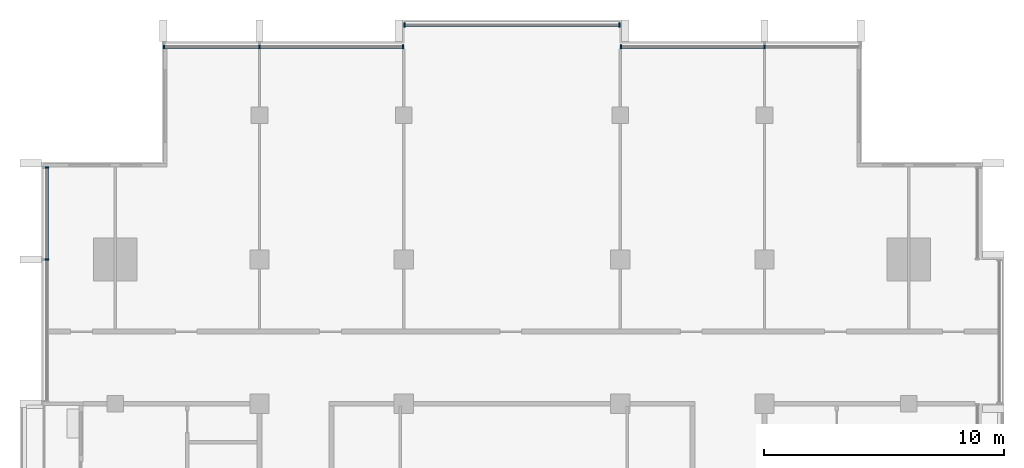
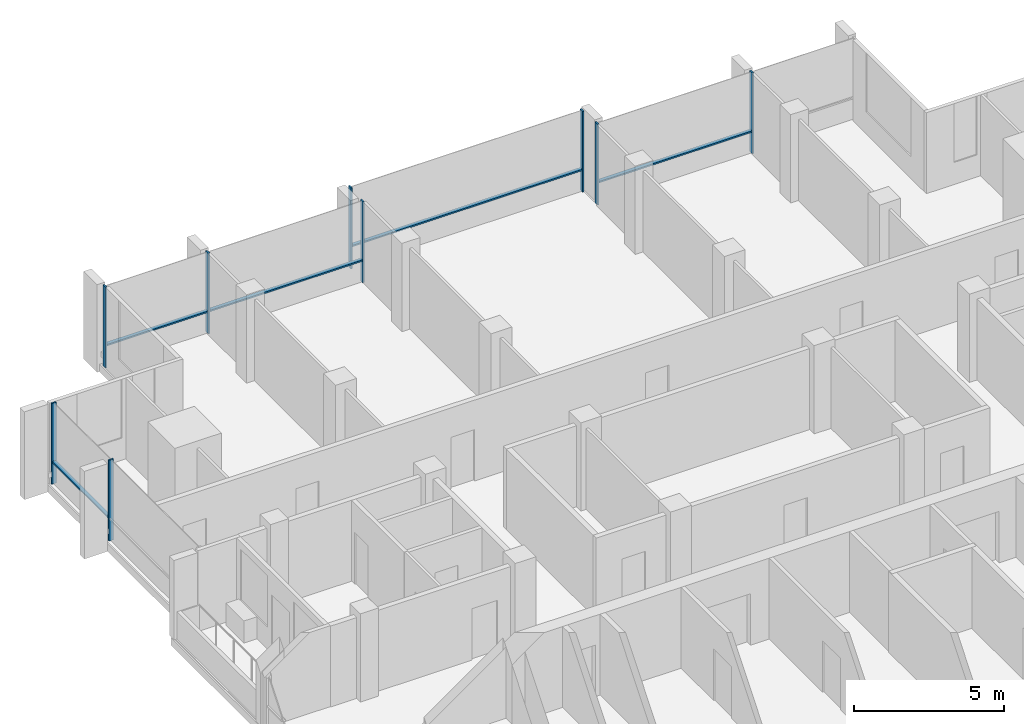
# One storey, part 4 of 15: 14 members, 4 elements without a shape of their own.
"""IFC4 building model written with IfcOpenShell, lengths in metres."""

from ifc_helpers import new_model, si_unit, direction, frame, origin, origin_2d, place, context, subcontext, project, spatial, rectangle, extrude, material, material_profile, profile_set, type_object, element, aggregate, save


model = new_model("IFC4")

# Units and contexts
model_context = context("Model", 3, precision=1e-05, world=origin(), true_north=direction((0.0, 1.0)))
body_context = subcontext(model_context, "Body", "Model", "MODEL_VIEW")
ifc_project = project(units=[si_unit("LENGTHUNIT", "METRE"), si_unit("AREAUNIT", "SQUARE_METRE"), si_unit("VOLUMEUNIT", "CUBIC_METRE"), si_unit("PLANEANGLEUNIT", "RADIAN"), si_unit("MASSUNIT", "GRAM", prefix="KILO")], contexts=[model_context])

# Site, building, storey
site_placement = place(None, origin())
site = spatial("IfcSite", under=ifc_project, at=site_placement, CompositionType="ELEMENT")
building_placement = place(site_placement, origin())
building = spatial("IfcBuilding", under=site, at=building_placement, Name="Finial Court Residences", CompositionType="ELEMENT")
storey_placement = place(building_placement, frame((0.0, 0.0, 266.300048828125)))
storey = spatial("IfcBuildingStorey", under=building, at=storey_placement, Name="L67", CompositionType="ELEMENT", Elevation=266.300048828125)

# Curtain wall, members
ifc_material = material(Name="Bronze anodised aluminium", Category="aluminium")
curtain_wall_type = type_object("IfcCurtainWallType", Name="Unitised curtain wall, upper zones", PredefinedType="NOTDEFINED", material=ifc_material)
curtain_wall_1_placement = place(storey_placement, origin())
curtain_wall_1 = element("IfcCurtainWall", 1, at=curtain_wall_1_placement, inside=storey, type_object=curtain_wall_type, Name="E-L67-CW-N1", PredefinedType="NOTDEFINED")
ifc_material_profile_1 = material_profile(ifc_material, rectangle(XDim=0.175048828125, YDim=0.06005859375, at=origin_2d()), Name="CW2 mullion 60 x 175")
ifc_profile_set_1 = profile_set([ifc_material_profile_1], Name="Bronze anodised aluminium")
member_type_1 = type_object("IfcMemberType", Name="CW2 mullion 60 x 175", PredefinedType="MULLION", material=ifc_profile_set_1)
member_1_placement = place(storey_placement, frame((-14.469970703125, 16.35009765625, 0.0), z_axis=(0.0, 0.0, 1.0), x_axis=(0.0, 1.0, 0.0)))
member_1 = element("IfcMember", 2, at=member_1_placement, type_object=member_type_1, Name="CW2 mullion 1", PredefinedType="MULLION", context=body_context, shape_type="SweptSolid", body=[
    extrude(rectangle(XDim=0.175048828125, YDim=0.06005859375, at=origin_2d()), origin(), (0.0, 0.0, 1.0), 3.300048828125),
])
member_2_placement = place(storey_placement, frame((-10.5, 16.35009765625, 0.0), z_axis=(0.0, 0.0, 1.0), x_axis=(0.0, 1.0, 0.0)))
member_2 = element("IfcMember", 3, at=member_2_placement, type_object=member_type_1, Name="CW2 mullion 2", PredefinedType="MULLION", context=body_context, shape_type="SweptSolid", body=[
    extrude(rectangle(XDim=0.175048828125, YDim=0.06005859375, at=origin_2d()), origin(), (0.0, 0.0, 1.0), 3.300048828125),
])
member_3_placement = place(storey_placement, frame((-4.530029296875, 16.35009765625, 0.0), z_axis=(0.0, 0.0, 1.0), x_axis=(0.0, 1.0, 0.0)))
member_3 = element("IfcMember", 4, at=member_3_placement, type_object=member_type_1, Name="CW2 mullion 3", PredefinedType="MULLION", context=body_context, shape_type="SweptSolid", body=[
    extrude(rectangle(XDim=0.175048828125, YDim=0.06005859375, at=origin_2d()), origin(), (0.0, 0.0, 1.0), 3.300048828125),
])

curtain_wall_2_placement = place(storey_placement, origin())
curtain_wall_2 = element("IfcCurtainWall", 5, at=curtain_wall_2_placement, inside=storey, type_object=curtain_wall_type, Name="E-L67-CW-N2", PredefinedType="NOTDEFINED")
member_4_placement = place(storey_placement, frame((-4.469970703125, 17.25, 0.0), z_axis=(0.0, 0.0, 1.0), x_axis=(0.0, 1.0, 0.0)))
member_4 = element("IfcMember", 6, at=member_4_placement, type_object=member_type_1, Name="CW2 mullion 1", PredefinedType="MULLION", context=body_context, shape_type="SweptSolid", body=[
    extrude(rectangle(XDim=0.175048828125, YDim=0.06005859375, at=origin_2d()), origin(), (0.0, 0.0, 1.0), 3.300048828125),
])
member_5_placement = place(storey_placement, frame((4.469970703125, 17.25, 0.0), z_axis=(0.0, 0.0, 1.0), x_axis=(0.0, 1.0, 0.0)))
member_5 = element("IfcMember", 7, at=member_5_placement, type_object=member_type_1, Name="CW2 mullion 2", PredefinedType="MULLION", context=body_context, shape_type="SweptSolid", body=[
    extrude(rectangle(XDim=0.175048828125, YDim=0.06005859375, at=origin_2d()), origin(), (0.0, 0.0, 1.0), 3.300048828125),
])

curtain_wall_3_placement = place(storey_placement, origin())
curtain_wall_3 = element("IfcCurtainWall", 8, at=curtain_wall_3_placement, inside=storey, type_object=curtain_wall_type, Name="E-L67-CW-N3", PredefinedType="NOTDEFINED")
member_6_placement = place(storey_placement, frame((4.530029296875, 16.35009765625, 0.0), z_axis=(0.0, 0.0, 1.0), x_axis=(0.0, 1.0, 0.0)))
member_6 = element("IfcMember", 9, at=member_6_placement, type_object=member_type_1, Name="CW2 mullion 1", PredefinedType="MULLION", context=body_context, shape_type="SweptSolid", body=[
    extrude(rectangle(XDim=0.175048828125, YDim=0.06005859375, at=origin_2d()), origin(), (0.0, 0.0, 1.0), 3.300048828125),
])
member_7_placement = place(storey_placement, frame((10.5, 16.35009765625, 0.0), z_axis=(0.0, 0.0, 1.0), x_axis=(0.0, 1.0, 0.0)))
member_7 = element("IfcMember", 10, at=member_7_placement, type_object=member_type_1, Name="CW2 mullion 2", PredefinedType="MULLION", context=body_context, shape_type="SweptSolid", body=[
    extrude(rectangle(XDim=0.175048828125, YDim=0.06005859375, at=origin_2d()), origin(), (0.0, 0.0, 1.0), 3.300048828125),
])

curtain_wall_4_placement = place(storey_placement, origin())
curtain_wall_4 = element("IfcCurtainWall", 11, at=curtain_wall_4_placement, inside=storey, type_object=curtain_wall_type, Name="E-L67-CW-W12", PredefinedType="NOTDEFINED")
member_8_placement = place(storey_placement, frame((-19.35009765625, 7.5, 0.0), z_axis=(0.0, 0.0, 1.0), x_axis=(-1.0, 0.0, 0.0)))
member_8 = element("IfcMember", 12, at=member_8_placement, type_object=member_type_1, Name="CW2 mullion 2", PredefinedType="MULLION", context=body_context, shape_type="SweptSolid", body=[
    extrude(rectangle(XDim=0.175048828125, YDim=0.06005859375, at=origin_2d()), origin(), (0.0, 0.0, 1.0), 3.300048828125),
])
member_9_placement = place(storey_placement, frame((-19.35009765625, 11.320068359375, 0.0), z_axis=(0.0, 0.0, 1.0), x_axis=(-1.0, 0.0, 0.0)))
member_9 = element("IfcMember", 13, at=member_9_placement, type_object=member_type_1, Name="CW2 mullion 3", PredefinedType="MULLION", context=body_context, shape_type="SweptSolid", body=[
    extrude(rectangle(XDim=0.175048828125, YDim=0.06005859375, at=origin_2d()), origin(), (0.0, 0.0, 1.0), 3.300048828125),
])

# Member
ifc_material_profile_2 = material_profile(ifc_material, rectangle(XDim=0.139892578125, YDim=0.06005859375, at=origin_2d()), Name="CW2 transom 60 x 140")
ifc_profile_set_2 = profile_set([ifc_material_profile_2], Name="Bronze anodised aluminium")
member_type_2 = type_object("IfcMemberType", Name="CW2 transom 60 x 140", PredefinedType="USERDEFINED", material=ifc_profile_set_2)
member_10_placement = place(storey_placement, frame((-14.43994140625, 16.35009765625, 0.89990234375), z_axis=(1.0, 0.0, 0.0), x_axis=(0.0, 1.0, 0.0)))
member_10 = element("IfcMember", 14, at=member_10_placement, type_object=member_type_2, Name="CW2 transom 1.1", ObjectType="TRANSOM", PredefinedType="USERDEFINED", context=body_context, shape_type="SweptSolid", body=[
    extrude(rectangle(XDim=0.139892578125, YDim=0.06005859375, at=origin_2d()), origin(), (0.0, 0.0, 1.0), 3.909912109375),
])

member_11_placement = place(storey_placement, frame((-10.469970703125, 16.35009765625, 0.89990234375), z_axis=(1.0, 0.0, 0.0), x_axis=(0.0, 1.0, 0.0)))
member_11 = element("IfcMember", 15, at=member_11_placement, type_object=member_type_2, Name="CW2 transom 2.1", ObjectType="TRANSOM", PredefinedType="USERDEFINED", context=body_context, shape_type="SweptSolid", body=[
    extrude(rectangle(XDim=0.139892578125, YDim=0.06005859375, at=origin_2d()), origin(), (0.0, 0.0, 1.0), 5.909912109375),
])

aggregate(curtain_wall_1, [member_1, member_2, member_3, member_10, member_11])

member_12_placement = place(storey_placement, frame((-4.43994140625, 17.25, 0.89990234375), z_axis=(1.0, 0.0, 0.0), x_axis=(0.0, 1.0, 0.0)))
member_12 = element("IfcMember", 16, at=member_12_placement, type_object=member_type_2, Name="CW2 transom 1.1", ObjectType="TRANSOM", PredefinedType="USERDEFINED", context=body_context, shape_type="SweptSolid", body=[
    extrude(rectangle(XDim=0.139892578125, YDim=0.06005859375, at=origin_2d()), origin(), (0.0, 0.0, 1.0), 8.8798828125),
])

aggregate(curtain_wall_2, [member_4, member_5, member_12])

member_13_placement = place(storey_placement, frame((4.56005859375, 16.35009765625, 0.89990234375), z_axis=(1.0, 0.0, 0.0), x_axis=(0.0, 1.0, 0.0)))
member_13 = element("IfcMember", 17, at=member_13_placement, type_object=member_type_2, Name="CW2 transom 1.1", ObjectType="TRANSOM", PredefinedType="USERDEFINED", context=body_context, shape_type="SweptSolid", body=[
    extrude(rectangle(XDim=0.139892578125, YDim=0.06005859375, at=origin_2d()), origin(), (0.0, 0.0, 1.0), 5.909912109375),
])

aggregate(curtain_wall_3, [member_6, member_7, member_13])

member_14_placement = place(storey_placement, frame((-19.35009765625, 7.530029296875, 0.89990234375), z_axis=(0.0, 1.0, 0.0), x_axis=(-1.0, 0.0, 0.0)))
member_14 = element("IfcMember", 18, at=member_14_placement, type_object=member_type_2, Name="CW2 transom 2.1", ObjectType="TRANSOM", PredefinedType="USERDEFINED", context=body_context, shape_type="SweptSolid", body=[
    extrude(rectangle(XDim=0.139892578125, YDim=0.06005859375, at=origin_2d()), origin(), (0.0, 0.0, 1.0), 3.760009765625),
])

aggregate(curtain_wall_4, [member_8, member_9, member_14])

save(model, "model.ifc")
